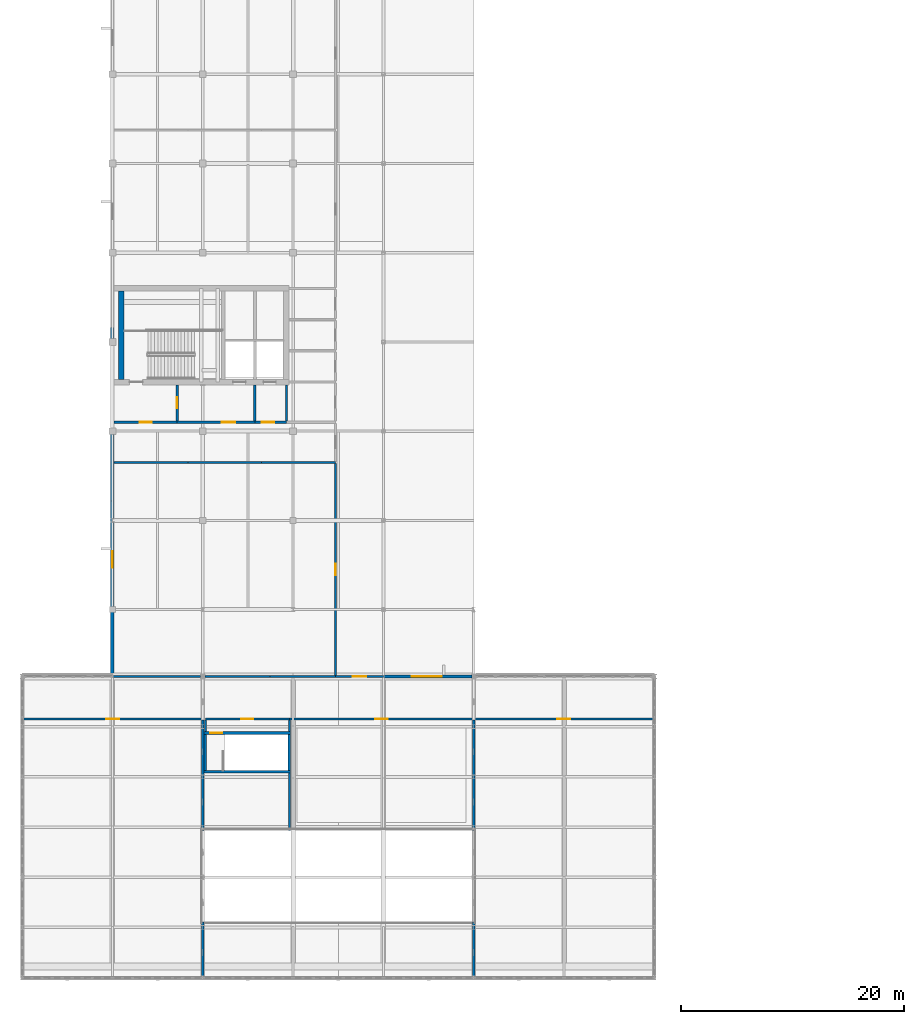
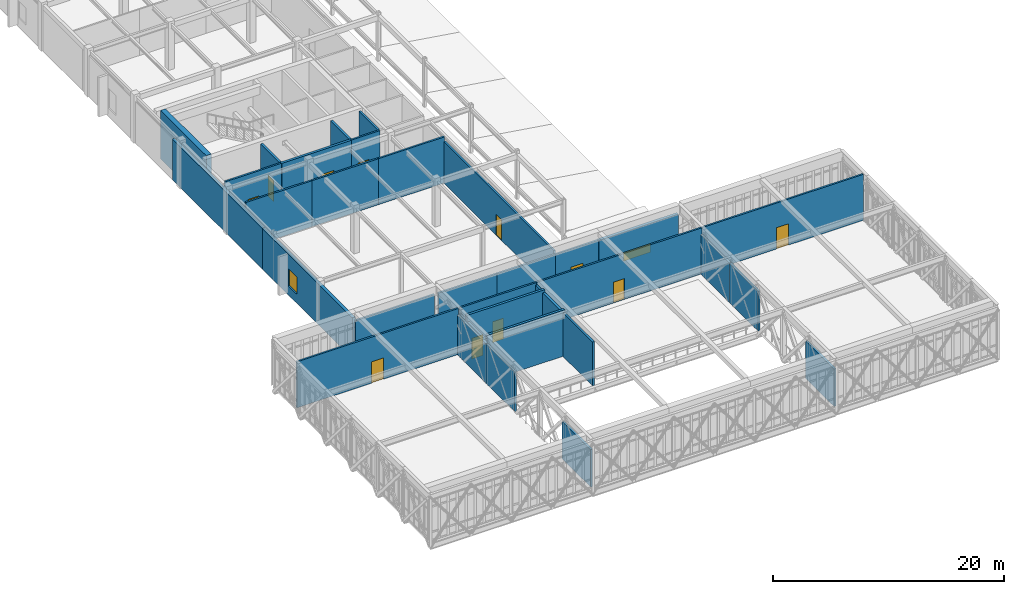
# One storey, part 59 of 70: 35 walls, 11 doors, 2 windows, 13 openings.
"""IFC4 building model written with IfcOpenShell, lengths in metres."""

from ifc_helpers import new_model, si_unit, direction, frame, frame_2d, origin, place, context, subcontext, project, spatial, rectangle, extrude, material, layer, layer_set, type_object, element, fill, save


model = new_model("IFC4")

# Units and contexts
model_context = context("Model", 3, precision=1e-05, world=origin(), true_north=direction((0.0, 1.0)))
body_context = subcontext(model_context, "Body", "Model", "MODEL_VIEW")
ifc_project = project(units=[si_unit("LENGTHUNIT", "METRE"), si_unit("AREAUNIT", "SQUARE_METRE"), si_unit("VOLUMEUNIT", "CUBIC_METRE"), si_unit("PLANEANGLEUNIT", "RADIAN"), si_unit("MASSUNIT", "GRAM", prefix="KILO")], contexts=[model_context])

# Site, building, storey
site_placement = place(None, origin())
site = spatial("IfcSite", under=ifc_project, at=site_placement, CompositionType="ELEMENT")
building_placement = place(site_placement, origin())
building = spatial("IfcBuilding", under=site, at=building_placement, Name="Tarnveldt Square Police Headquarters", CompositionType="ELEMENT")
storey_placement = place(building_placement, frame((0.0, 0.0, 19.800048828125)))
storey = spatial("IfcBuildingStorey", under=building, at=storey_placement, Name="L04", CompositionType="ELEMENT", Elevation=19.800048828125)

# Walls
ifc_material_1 = material(Name="Fire-rated Type X gypsum board on steel studs", Category="steel")
ifc_layer_1 = layer(ifc_material_1, 0.199951171875)
ifc_layer_set_1 = layer_set([ifc_layer_1], Name="Fire-rated Type X gypsum board on steel studs")
wall_type_1 = type_object("IfcWallType", Name="WL-ACOUST-200", PredefinedType="PARTITIONING", material=ifc_layer_set_1)
wall_1_placement = place(storey_placement, frame((24.300048828125, 7.06494140625, 0.0), z_axis=(0.0, 0.0, 1.0), x_axis=(0.0, 1.0, 0.0)))
element("IfcWall", 1, at=wall_1_placement, inside=storey, type_object=wall_type_1, Name="L04 Interior Partition Wall 0564", PredefinedType="PARTITIONING", context=body_context, shape_type="SweptSolid", body=[
    extrude(rectangle(XDim=4.925048828125, YDim=0.199951171875, at=frame_2d((2.46240234375, 0.0))), origin(), (0.0, 0.0, 1.0), 3.951904296875),
])
for number, where, z_axis, x_axis, name in (
    (2, (24.300048828125, 20.2099609375, 0.0), (0.0, 0.0, 1.0), (0.0, 1.0, 0.0), "L04 Interior Partition Wall 0565"),
    (3, (24.300048828125, 25.156005859375, 0.0), (0.0, 0.0, 1.0), (0.0, 1.0, 0.0), "L04 Interior Partition Wall 0566"),
):
    element("IfcWall", number, at=place(storey_placement, frame(where, z_axis=z_axis, x_axis=x_axis)), inside=storey, type_object=wall_type_1, Name=name, PredefinedType="PARTITIONING", context=body_context, shape_type="SweptSolid", body=[
        extrude(rectangle(XDim=4.946044921875, YDim=0.199951171875, at=frame_2d((2.47314453125, 0.0))), origin(), (0.0, 0.0, 1.0), 4.1728515625),
    ])
wall_2_placement = place(storey_placement, frame((32.070068359375, 20.2099609375, 0.0), z_axis=(0.0, 0.0, 1.0), x_axis=(0.0, 1.0, 0.0)))
element("IfcWall", 4, at=wall_2_placement, inside=storey, type_object=wall_type_1, Name="L04 Interior Partition Wall 0572", PredefinedType="PARTITIONING", context=body_context, shape_type="SweptSolid", body=[
    extrude(rectangle(XDim=5.1220703125, YDim=0.199951171875, at=frame_2d((2.56103515625, 0.0))), origin(), (0.0, 0.0, 1.0), 4.616943359375),
])
wall_3_placement = place(storey_placement, frame((48.60009765625, 7.06494140625, 0.0), z_axis=(0.0, 0.0, 1.0), x_axis=(0.0, 1.0, 0.0)))
element("IfcWall", 5, at=wall_3_placement, inside=storey, type_object=wall_type_1, Name="L04 Interior Partition Wall 0588", PredefinedType="PARTITIONING", context=body_context, shape_type="SweptSolid", body=[
    extrude(rectangle(XDim=4.925048828125, YDim=0.199951171875, at=frame_2d((2.46240234375, 0.0))), origin(), (0.0, 0.0, 1.0), 3.951904296875),
])
for number, where, z_axis, x_axis, name in (
    (6, (48.60009765625, 20.2099609375, 0.0), (0.0, 0.0, 1.0), (0.0, 1.0, 0.0), "L04 Interior Partition Wall 0589"),
    (7, (48.60009765625, 25.156005859375, 0.0), (0.0, 0.0, 1.0), (0.0, 1.0, 0.0), "L04 Interior Partition Wall 0590"),
):
    element("IfcWall", number, at=place(storey_placement, frame(where, z_axis=z_axis, x_axis=x_axis)), inside=storey, type_object=wall_type_1, Name=name, PredefinedType="PARTITIONING", context=body_context, shape_type="SweptSolid", body=[
        extrude(rectangle(XDim=4.946044921875, YDim=0.199951171875, at=frame_2d((2.47314453125, 0.0))), origin(), (0.0, 0.0, 1.0), 4.1728515625),
    ])
ifc_material_2 = material(Name="Concrete 50 MPa", Category="concrete")
ifc_layer_2 = layer(ifc_material_2, 0.5)
ifc_layer_set_2 = layer_set([ifc_layer_2], Name="Concrete 50 MPa")
wall_type_2 = type_object("IfcWallType", Name="WL-CORE-500", PredefinedType="SHEAR", material=ifc_layer_set_2)
wall_4_placement = place(storey_placement, frame((17.0, 60.64990234375, 0.0), z_axis=(0.0, 0.0, 1.0), x_axis=(0.0, 1.0, 0.0)))
element("IfcWall", 8, at=wall_4_placement, inside=storey, type_object=wall_type_2, Name="Core K1 South-West Command and Firefighting Core L04 West Shear Wall", PredefinedType="SHEAR", context=body_context, shape_type="SweptSolid", body=[
    extrude(rectangle(XDim=7.900146484375, YDim=0.5, at=frame_2d((3.9501953125, 0.0))), origin(), (0.0, 0.0, 1.0), 5.099853515625),
])

# Wall, opening, window
ifc_material_3 = material(Name="Manganese ironspot clay brick masonry 20 MPa", Category="masonry")
ifc_layer_3 = layer(ifc_material_3, 0.300048828125)
ifc_layer_set_3 = layer_set([ifc_layer_3], Name="Manganese ironspot clay brick masonry 20 MPa")
wall_type_3 = type_object("IfcWallType", Name="WL-EXT-BRK300", PredefinedType="SOLIDWALL", material=ifc_layer_set_3)
wall_5_placement = place(storey_placement, frame((48.419921875, 34.0, 0.0), z_axis=(0.0, 0.0, 1.0), x_axis=(-1.0, 0.0, 0.0)))
wall_5 = element("IfcWall", 9, at=wall_5_placement, inside=storey, type_object=wall_type_3, Name="L04 Brutalist Exterior Wall 0186", PredefinedType="SOLIDWALL", context=body_context, shape_type="SweptSolid", body=[
    extrude(rectangle(XDim=7.919921875, YDim=0.300048828125, at=frame_2d((3.9599609375, 0.0))), origin(), (0.0, 0.0, 1.0), 4.092041015625),
])
opening_1_placement = place(wall_5_placement, frame((2.699951171875, 0.0, 0.949951171875)))
opening_1 = element("IfcOpeningElement", 10, at=opening_1_placement, cuts=wall_5, Name="Opening W22", PredefinedType="OPENING", context=body_context, shape_type="SweptSolid", body=[
    extrude(rectangle(XDim=2.699951171875, YDim=0.89990234375, at=frame_2d((1.35009765625, 0.449951171875))), frame((0.0, 0.159912109375, 0.0), z_axis=(0.0, -1.0, 0.0), x_axis=(1.0, 0.0, 0.0)), (0.0, 0.0, 1.0), 0.320068359375),
])
ifc_material_4 = material(Name="Triple-glazed low-e laminated vision glass", Category="glass")
window_type_1 = type_object("IfcWindowType", Name="WIN-CLR-270x090", PartitioningType="TRIPLE_PANEL_VERTICAL", PredefinedType="WINDOW", material=ifc_material_4)
window_1_placement = place(opening_1_placement, origin())
window_1 = element("IfcWindow", 11, at=window_1_placement, inside=storey, type_object=window_type_1, Name="L04 Deep-Reveal Brutalist Window 0094", OverallHeight=0.89990234375, OverallWidth=2.699951171875, PartitioningType="TRIPLE_PANEL_VERTICAL", PredefinedType="WINDOW", context=body_context, shape_type="SweptSolid", body=[
    extrude(rectangle(XDim=2.699951171875, YDim=0.89990234375, at=frame_2d((1.35009765625, 0.449951171875))), frame((0.0, 0.030029296875, 0.0), z_axis=(0.0, -1.0, 0.0), x_axis=(1.0, 0.0, 0.0)), (0.0, 0.0, 1.0), 0.06005859375),
])
fill(opening_1, window_1)

# Wall
wall_6_placement = place(storey_placement, frame((16.199951171875, 65.30810546875, 0.0), z_axis=(0.0, 0.0, 1.0), x_axis=(0.0, -1.0, 0.0)))
element("IfcWall", 12, at=wall_6_placement, inside=storey, type_object=wall_type_3, Name="L04 Brutalist Exterior Wall 0201", PredefinedType="SOLIDWALL", context=body_context, shape_type="SweptSolid", body=[
    extrude(rectangle(XDim=15.564208984375, YDim=0.300048828125, at=frame_2d((7.7822265625, 0.0))), origin(), (0.0, 0.0, 1.0), 4.2890625),
])

# Wall, opening, window
wall_7_placement = place(storey_placement, frame((16.199951171875, 49.743896484375, 0.0), z_axis=(0.0, 0.0, 1.0), x_axis=(0.0, -1.0, 0.0)))
wall_7 = element("IfcWall", 13, at=wall_7_placement, inside=storey, type_object=wall_type_3, Name="L04 Brutalist Exterior Wall 0202", PredefinedType="SOLIDWALL", context=body_context, shape_type="SweptSolid", body=[
    extrude(rectangle(XDim=15.56396484375, YDim=0.300048828125, at=frame_2d((7.781982421875, 0.0))), origin(), (0.0, 0.0, 1.0), 4.2890625),
])
opening_2_placement = place(wall_7_placement, frame((4.5, 0.0, 0.949951171875)))
opening_2 = element("IfcOpeningElement", 14, at=opening_2_placement, cuts=wall_7, Name="Opening W07", PredefinedType="OPENING", context=body_context, shape_type="SweptSolid", body=[
    extrude(rectangle(XDim=1.5, YDim=1.800048828125, at=frame_2d((0.75, 0.89990234375))), frame((0.0, 0.159912109375, 0.0), z_axis=(0.0, -1.0, 0.0), x_axis=(1.0, 0.0, 0.0)), (0.0, 0.0, 1.0), 0.320068359375),
])
window_type_2 = type_object("IfcWindowType", Name="WIN-DR-150x180", PartitioningType="DOUBLE_PANEL_VERTICAL", PredefinedType="WINDOW", material=ifc_material_4)
window_2_placement = place(opening_2_placement, origin())
window_2 = element("IfcWindow", 15, at=window_2_placement, inside=storey, type_object=window_type_2, Name="L04 Deep-Reveal Brutalist Window 0103", OverallHeight=1.800048828125, OverallWidth=1.5, PartitioningType="DOUBLE_PANEL_VERTICAL", PredefinedType="WINDOW", context=body_context, shape_type="SweptSolid", body=[
    extrude(rectangle(XDim=1.5, YDim=1.800048828125, at=frame_2d((0.75, 0.89990234375))), frame((0.0, 0.030029296875, 0.0), z_axis=(0.0, -1.0, 0.0), x_axis=(1.0, 0.0, 0.0)), (0.0, 0.0, 1.0), 0.06005859375),
])
fill(opening_2, window_2)

# Wall, opening, door
ifc_layer_4 = layer(ifc_material_1, 0.179931640625)
ifc_layer_set_4 = layer_set([ifc_layer_4], Name="Fire-rated Type X gypsum board on steel studs")
wall_type_4 = type_object("IfcWallType", Name="WL-FIRE-180", PredefinedType="PARTITIONING", material=ifc_layer_set_4)
wall_8_placement = place(storey_placement, frame((8.1650390625, 30.199951171875, 0.0), z_axis=(0.0, 0.0, 1.0), x_axis=(1.0, 0.0, 0.0)))
wall_8 = element("IfcWall", 16, at=wall_8_placement, inside=storey, type_object=wall_type_4, Name="L04 Interior Partition Wall 0534", PredefinedType="PARTITIONING", context=body_context, shape_type="SweptSolid", body=[
    extrude(rectangle(XDim=16.135009765625, YDim=0.179931640625, at=frame_2d((8.0673828125, 0.0))), origin(), (0.0, 0.0, 1.0), 4.85986328125),
])
opening_3_placement = place(wall_8_placement, frame((7.467529296875, 0.0, 0.0)))
opening_3 = element("IfcOpeningElement", 17, at=opening_3_placement, cuts=wall_8, Name="Opening D08", PredefinedType="OPENING", context=body_context, shape_type="SweptSolid", body=[
    extrude(rectangle(XDim=1.199951171875, YDim=2.25, at=frame_2d((0.60009765625, 1.125))), frame((0.0, 0.099853515625, 0.0), z_axis=(0.0, -1.0, 0.0), x_axis=(1.0, 0.0, 0.0)), (0.0, 0.0, 1.0), 0.199951171875),
])
ifc_material_5 = material(Name="Solid core architectural birch door leaf", Category="wood")
door_type_1 = type_object("IfcDoorType", Name="DR-INT-1200", OperationType="NOTDEFINED", PredefinedType="DOOR", material=ifc_material_5)
door_1_placement = place(opening_3_placement, frame((1.199951171875, 0.0, 0.0), z_axis=(0.0, 0.0, 1.0), x_axis=(-1.0, 0.0, 0.0)))
door_1 = element("IfcDoor", 18, at=door_1_placement, inside=storey, type_object=door_type_1, Name="Gold Incident Command Control Room Door", OperationType="SINGLE_SWING_LEFT", OverallHeight=2.25, OverallWidth=1.199951171875, PredefinedType="DOOR", context=body_context, shape_type="SweptSolid", body=[
    extrude(rectangle(XDim=1.199951171875, YDim=2.25, at=frame_2d((0.60009765625, 1.125))), frame((0.0, 0.02490234375, 0.0), z_axis=(0.0, -1.0, 0.0), x_axis=(1.0, 0.0, 0.0)), (0.0, 0.0, 1.0), 0.050048828125),
])
fill(opening_3, door_1)

# Walls
wall_9_placement = place(storey_placement, frame((16.2099609375, 34.0, 0.0), z_axis=(0.0, 0.0, 1.0), x_axis=(1.0, 0.0, 0.0)))
element("IfcWall", 19, at=wall_9_placement, inside=storey, type_object=wall_type_4, Name="L04 Interior Partition Wall 0535", PredefinedType="PARTITIONING", context=body_context, shape_type="SweptSolid", body=[
    extrude(rectangle(XDim=7.89501953125, YDim=0.179931640625, at=frame_2d((3.947509765625, 0.0))), origin(), (0.0, 0.0, 1.0), 4.092041015625),
])
wall_10_placement = place(storey_placement, frame((24.4951171875, 34.0, 0.0), z_axis=(0.0, 0.0, 1.0), x_axis=(1.0, 0.0, 0.0)))
element("IfcWall", 20, at=wall_10_placement, inside=storey, type_object=wall_type_4, Name="L04 Interior Partition Wall 0536", PredefinedType="PARTITIONING", context=body_context, shape_type="SweptSolid", body=[
    extrude(rectangle(XDim=5.852294921875, YDim=0.179931640625, at=frame_2d((2.92626953125, 0.0))), origin(), (0.0, 0.0, 1.0), 4.092041015625),
])
wall_11_placement = place(storey_placement, frame((30.347412109375, 34.0, 0.0), z_axis=(0.0, 0.0, 1.0), x_axis=(1.0, 0.0, 0.0)))
element("IfcWall", 21, at=wall_11_placement, inside=storey, type_object=wall_type_4, Name="L04 Interior Partition Wall 0537", PredefinedType="PARTITIONING", context=body_context, shape_type="SweptSolid", body=[
    extrude(rectangle(XDim=5.8525390625, YDim=0.179931640625, at=frame_2d((2.92626953125, 0.0))), origin(), (0.0, 0.0, 1.0), 4.092041015625),
])
for number, where, z_axis, x_axis, name in (
    (22, (16.35791015625, 53.199951171875, 0.0), (0.0, 0.0, 1.0), (1.0, 0.0, 0.0), "L04 Interior Partition Wall 0538"),
    (23, (22.971923828125, 53.199951171875, 0.0), (0.0, 0.0, 1.0), (1.0, 0.0, 0.0), "L04 Interior Partition Wall 0539"),
    (24, (29.5859375, 53.199951171875, 0.0), (0.0, 0.0, 1.0), (1.0, 0.0, 0.0), "L04 Interior Partition Wall 0540"),
):
    element("IfcWall", number, at=place(storey_placement, frame(where, z_axis=z_axis, x_axis=x_axis)), inside=storey, type_object=wall_type_4, Name=name, PredefinedType="PARTITIONING", context=body_context, shape_type="SweptSolid", body=[
        extrude(rectangle(XDim=6.614013671875, YDim=0.179931640625, at=frame_2d((3.30712890625, 0.0))), origin(), (0.0, 0.0, 1.0), 4.85986328125),
    ])

# Wall, opening, door
wall_12_placement = place(storey_placement, frame((16.35791015625, 56.800048828125, 0.0), z_axis=(0.0, 0.0, 1.0), x_axis=(1.0, 0.0, 0.0)))
wall_12 = element("IfcWall", 25, at=wall_12_placement, inside=storey, type_object=wall_type_4, Name="L04 Interior Partition Wall 0541", PredefinedType="PARTITIONING", context=body_context, shape_type="SweptSolid", body=[
    extrude(rectangle(XDim=5.64208984375, YDim=0.179931640625, at=frame_2d((2.821044921875, 0.0))), origin(), (0.0, 0.0, 1.0), 4.85986328125),
])
opening_4_placement = place(wall_12_placement, frame((2.27099609375, 0.0, 0.0)))
opening_4 = element("IfcOpeningElement", 26, at=opening_4_placement, cuts=wall_12, Name="Opening D15", PredefinedType="OPENING", context=body_context, shape_type="SweptSolid", body=[
    extrude(rectangle(XDim=1.10009765625, YDim=2.199951171875, at=frame_2d((0.550048828125, 1.10009765625))), frame((0.0, 0.099853515625, 0.0), z_axis=(0.0, -1.0, 0.0), x_axis=(1.0, 0.0, 0.0)), (0.0, 0.0, 1.0), 0.199951171875),
])
ifc_material_6 = material(Name="Insulated hollow metal steel door leaf", Category="steel")
door_type_2 = type_object("IfcDoorType", Name="DR-FD60-1100", OperationType="NOTDEFINED", PredefinedType="DOOR", material=ifc_material_6)
door_2_placement = place(opening_4_placement, frame((1.10009765625, 0.0, 0.0), z_axis=(0.0, 0.0, 1.0), x_axis=(-1.0, 0.0, 0.0)))
door_2 = element("IfcDoor", 27, at=door_2_placement, inside=storey, type_object=door_type_2, Name="Core Stair Lobby K1-L04 Door", OperationType="SINGLE_SWING_RIGHT", OverallHeight=2.199951171875, OverallWidth=1.10009765625, PredefinedType="DOOR", context=body_context, shape_type="SweptSolid", body=[
    extrude(rectangle(XDim=1.10009765625, YDim=2.199951171875, at=frame_2d((0.550048828125, 1.10009765625))), frame((0.0, 0.02490234375, 0.0), z_axis=(0.0, -1.0, 0.0), x_axis=(1.0, 0.0, 0.0)), (0.0, 0.0, 1.0), 0.050048828125),
])
fill(opening_4, door_2)

wall_13_placement = place(storey_placement, frame((24.530029296875, 30.199951171875, 0.0), z_axis=(0.0, 0.0, 1.0), x_axis=(1.0, 0.0, 0.0)))
wall_13 = element("IfcWall", 28, at=wall_13_placement, inside=storey, type_object=wall_type_4, Name="L04 Interior Partition Wall 0548", PredefinedType="PARTITIONING", context=body_context, shape_type="SweptSolid", body=[
    extrude(rectangle(XDim=7.5400390625, YDim=0.179931640625, at=frame_2d((3.77001953125, 0.0))), origin(), (0.0, 0.0, 1.0), 4.85986328125),
])
opening_5_placement = place(wall_13_placement, frame((3.219970703125, 0.0, 0.0)))
opening_5 = element("IfcOpeningElement", 29, at=opening_5_placement, cuts=wall_13, Name="Opening D15", PredefinedType="OPENING", context=body_context, shape_type="SweptSolid", body=[
    extrude(rectangle(XDim=1.10009765625, YDim=2.199951171875, at=frame_2d((0.550048828125, 1.10009765625))), frame((0.0, 0.099853515625, 0.0), z_axis=(0.0, -1.0, 0.0), x_axis=(1.0, 0.0, 0.0)), (0.0, 0.0, 1.0), 0.199951171875),
])
door_3_placement = place(opening_5_placement, origin())
door_3 = element("IfcDoor", 30, at=door_3_placement, inside=storey, type_object=door_type_2, Name="Exit Stair ST6 Vestibule L04 Door", OperationType="SINGLE_SWING_RIGHT", OverallHeight=2.199951171875, OverallWidth=1.10009765625, PredefinedType="DOOR", context=body_context, shape_type="SweptSolid", body=[
    extrude(rectangle(XDim=1.10009765625, YDim=2.199951171875, at=frame_2d((0.550048828125, 1.10009765625))), frame((0.0, 0.02490234375, 0.0), z_axis=(0.0, -1.0, 0.0), x_axis=(1.0, 0.0, 0.0)), (0.0, 0.0, 1.0), 0.050048828125),
])
fill(opening_5, door_3)

wall_14_placement = place(storey_placement, frame((28.97509765625, 56.800048828125, 0.0), z_axis=(0.0, 0.0, 1.0), x_axis=(1.0, 0.0, 0.0)))
wall_14 = element("IfcWall", 31, at=wall_14_placement, inside=storey, type_object=wall_type_4, Name="L04 Interior Partition Wall 0549", PredefinedType="PARTITIONING", context=body_context, shape_type="SweptSolid", body=[
    extrude(rectangle(XDim=2.824951171875, YDim=0.179931640625, at=frame_2d((1.41259765625, 0.0))), origin(), (0.0, 0.0, 1.0), 4.85986328125),
])
opening_6_placement = place(wall_14_placement, frame((0.636474609375, 0.0, 0.0)))
opening_6 = element("IfcOpeningElement", 32, at=opening_6_placement, cuts=wall_14, Name="Opening D15", PredefinedType="OPENING", context=body_context, shape_type="SweptSolid", body=[
    extrude(rectangle(XDim=1.10009765625, YDim=2.199951171875, at=frame_2d((0.550048828125, 1.10009765625))), frame((0.0, 0.099853515625, 0.0), z_axis=(0.0, -1.0, 0.0), x_axis=(1.0, 0.0, 0.0)), (0.0, 0.0, 1.0), 0.199951171875),
])
door_4_placement = place(opening_6_placement, frame((1.10009765625, 0.0, 0.0), z_axis=(0.0, 0.0, 1.0), x_axis=(-1.0, 0.0, 0.0)))
door_4 = element("IfcDoor", 33, at=door_4_placement, inside=storey, type_object=door_type_2, Name="Passenger Lift Lobby K1-L04 Door", OperationType="SINGLE_SWING_LEFT", OverallHeight=2.199951171875, OverallWidth=1.10009765625, PredefinedType="DOOR", context=body_context, shape_type="SweptSolid", body=[
    extrude(rectangle(XDim=1.10009765625, YDim=2.199951171875, at=frame_2d((0.550048828125, 1.10009765625))), frame((0.0, 0.02490234375, 0.0), z_axis=(0.0, -1.0, 0.0), x_axis=(1.0, 0.0, 0.0)), (0.0, 0.0, 1.0), 0.050048828125),
])
fill(opening_6, door_4)

wall_15_placement = place(storey_placement, frame((32.070068359375, 30.199951171875, 0.0), z_axis=(0.0, 0.0, 1.0), x_axis=(1.0, 0.0, 0.0)))
wall_15 = element("IfcWall", 34, at=wall_15_placement, inside=storey, type_object=wall_type_4, Name="L04 Interior Partition Wall 0557", PredefinedType="PARTITIONING", context=body_context, shape_type="SweptSolid", body=[
    extrude(rectangle(XDim=16.530029296875, YDim=0.179931640625, at=frame_2d((8.26513671875, 0.0))), origin(), (0.0, 0.0, 1.0), 4.85986328125),
])
opening_7_placement = place(wall_15_placement, frame((7.715087890625, 0.0, 0.0)))
opening_7 = element("IfcOpeningElement", 35, at=opening_7_placement, cuts=wall_15, Name="Opening D07", PredefinedType="OPENING", context=body_context, shape_type="SweptSolid", body=[
    extrude(rectangle(XDim=1.10009765625, YDim=2.199951171875, at=frame_2d((0.550048828125, 1.10009765625))), frame((0.0, 0.099853515625, 0.0), z_axis=(0.0, -1.0, 0.0), x_axis=(1.0, 0.0, 0.0)), (0.0, 0.0, 1.0), 0.199951171875),
])
door_type_3 = type_object("IfcDoorType", Name="DR-INT-1100", OperationType="NOTDEFINED", PredefinedType="DOOR", material=ifc_material_5)
door_5_placement = place(opening_7_placement, frame((1.10009765625, 0.0, 0.0), z_axis=(0.0, 0.0, 1.0), x_axis=(-1.0, 0.0, 0.0)))
door_5 = element("IfcDoor", 36, at=door_5_placement, inside=storey, type_object=door_type_3, Name="Dispatch Overlook Situation Briefing Room Door", OperationType="SINGLE_SWING_RIGHT", OverallHeight=2.199951171875, OverallWidth=1.10009765625, PredefinedType="DOOR", context=body_context, shape_type="SweptSolid", body=[
    extrude(rectangle(XDim=1.10009765625, YDim=2.199951171875, at=frame_2d((0.550048828125, 1.10009765625))), frame((0.0, 0.02490234375, 0.0), z_axis=(0.0, -1.0, 0.0), x_axis=(1.0, 0.0, 0.0)), (0.0, 0.0, 1.0), 0.050048828125),
])
fill(opening_7, door_5)

wall_16_placement = place(storey_placement, frame((36.199951171875, 34.0, 0.0), z_axis=(0.0, 0.0, 1.0), x_axis=(1.0, 0.0, 0.0)))
wall_16 = element("IfcWall", 37, at=wall_16_placement, inside=storey, type_object=wall_type_4, Name="L04 Interior Partition Wall 0558", PredefinedType="PARTITIONING", context=body_context, shape_type="SweptSolid", body=[
    extrude(rectangle(XDim=4.2900390625, YDim=0.179931640625, at=frame_2d((2.14501953125, 0.0))), origin(), (0.0, 0.0, 1.0), 4.092041015625),
])
opening_8_placement = place(wall_16_placement, frame((1.544921875, 0.0, 0.0)))
opening_8 = element("IfcOpeningElement", 38, at=opening_8_placement, cuts=wall_16, Name="Opening D16", PredefinedType="OPENING", context=body_context, shape_type="SweptSolid", body=[
    extrude(rectangle(XDim=1.199951171875, YDim=2.199951171875, at=frame_2d((0.60009765625, 1.10009765625))), frame((0.0, 0.099853515625, 0.0), z_axis=(0.0, -1.0, 0.0), x_axis=(1.0, 0.0, 0.0)), (0.0, 0.0, 1.0), 0.199951171875),
])
door_type_4 = type_object("IfcDoorType", Name="DR-FD60-1200", OperationType="NOTDEFINED", PredefinedType="DOOR", material=ifc_material_6)
door_6_placement = place(opening_8_placement, frame((1.199951171875, 0.0, 0.0), z_axis=(0.0, 0.0, 1.0), x_axis=(-1.0, 0.0, 0.0)))
door_6 = element("IfcDoor", 39, at=door_6_placement, inside=storey, type_object=door_type_4, Name="EOC Lantern Spine Corridor L04 Door", OperationType="SINGLE_SWING_LEFT", OverallHeight=2.199951171875, OverallWidth=1.199951171875, PredefinedType="DOOR", context=body_context, shape_type="SweptSolid", body=[
    extrude(rectangle(XDim=1.199951171875, YDim=2.199951171875, at=frame_2d((0.60009765625, 1.10009765625))), frame((0.0, 0.02490234375, 0.0), z_axis=(0.0, -1.0, 0.0), x_axis=(1.0, 0.0, 0.0)), (0.0, 0.0, 1.0), 0.050048828125),
])
fill(opening_8, door_6)

wall_17_placement = place(storey_placement, frame((48.60009765625, 30.199951171875, 0.0), z_axis=(0.0, 0.0, 1.0), x_axis=(1.0, 0.0, 0.0)))
wall_17 = element("IfcWall", 40, at=wall_17_placement, inside=storey, type_object=wall_type_4, Name="L04 Interior Partition Wall 0559", PredefinedType="PARTITIONING", context=body_context, shape_type="SweptSolid", body=[
    extrude(rectangle(XDim=16.135009765625, YDim=0.179931640625, at=frame_2d((8.0673828125, 0.0))), origin(), (0.0, 0.0, 1.0), 4.85986328125),
])
opening_9_placement = place(wall_17_placement, frame((7.467529296875, 0.0, 0.0)))
opening_9 = element("IfcOpeningElement", 41, at=opening_9_placement, cuts=wall_17, Name="Opening D08", PredefinedType="OPENING", context=body_context, shape_type="SweptSolid", body=[
    extrude(rectangle(XDim=1.199951171875, YDim=2.25, at=frame_2d((0.60009765625, 1.125))), frame((0.0, 0.099853515625, 0.0), z_axis=(0.0, -1.0, 0.0), x_axis=(1.0, 0.0, 0.0)), (0.0, 0.0, 1.0), 0.199951171875),
])
door_7_placement = place(opening_9_placement, frame((1.199951171875, 0.0, 0.0), z_axis=(0.0, 0.0, 1.0), x_axis=(-1.0, 0.0, 0.0)))
door_7 = element("IfcDoor", 42, at=door_7_placement, inside=storey, type_object=door_type_1, Name="Real-Time Crime Intelligence Fusion Center Door", OperationType="SINGLE_SWING_RIGHT", OverallHeight=2.25, OverallWidth=1.199951171875, PredefinedType="DOOR", context=body_context, shape_type="SweptSolid", body=[
    extrude(rectangle(XDim=1.199951171875, YDim=2.25, at=frame_2d((0.60009765625, 1.125))), frame((0.0, 0.02490234375, 0.0), z_axis=(0.0, -1.0, 0.0), x_axis=(1.0, 0.0, 0.0)), (0.0, 0.0, 1.0), 0.050048828125),
])
fill(opening_9, door_7)

# Walls
wall_18_placement = place(storey_placement, frame((24.530029296875, 29.068115234375, 0.0), z_axis=(0.0, 0.0, 1.0), x_axis=(0.0, 1.0, 0.0)))
element("IfcWall", 43, at=wall_18_placement, inside=storey, type_object=wall_type_4, Name="L04 Interior Partition Wall 0567", PredefinedType="PARTITIONING", context=body_context, shape_type="SweptSolid", body=[
    extrude(rectangle(XDim=1.033935546875, YDim=0.179931640625, at=frame_2d((0.51708984375, 0.0))), origin(), (0.0, 0.0, 1.0), 4.1728515625),
])
wall_19_placement = place(storey_placement, frame((31.800048828125, 56.89794921875, 0.0), z_axis=(0.0, 0.0, 1.0), x_axis=(0.0, 1.0, 0.0)))
element("IfcWall", 44, at=wall_19_placement, inside=storey, type_object=wall_type_4, Name="L04 Interior Partition Wall 0571", PredefinedType="PARTITIONING", context=body_context, shape_type="SweptSolid", body=[
    extrude(rectangle(XDim=3.244140625, YDim=0.179931640625, at=frame_2d((1.6220703125, 0.0))), origin(), (0.0, 0.0, 1.0), 4.85986328125),
])
wall_20_placement = place(storey_placement, frame((32.070068359375, 29.068115234375, 0.0), z_axis=(0.0, 0.0, 1.0), x_axis=(0.0, 1.0, 0.0)))
element("IfcWall", 45, at=wall_20_placement, inside=storey, type_object=wall_type_4, Name="L04 Interior Partition Wall 0573", PredefinedType="PARTITIONING", context=body_context, shape_type="SweptSolid", body=[
    extrude(rectangle(XDim=1.033935546875, YDim=0.179931640625, at=frame_2d((0.51708984375, 0.0))), origin(), (0.0, 0.0, 1.0), 4.616943359375),
])

# Wall, opening, door
wall_21_placement = place(storey_placement, frame((36.199951171875, 34.097900390625, 0.0), z_axis=(0.0, 0.0, 1.0), x_axis=(0.0, 1.0, 0.0)))
wall_21 = element("IfcWall", 46, at=wall_21_placement, inside=storey, type_object=wall_type_4, Name="L04 Interior Partition Wall 0574", PredefinedType="PARTITIONING", context=body_context, shape_type="SweptSolid", body=[
    extrude(rectangle(XDim=19.004150390625, YDim=0.179931640625, at=frame_2d((9.501953125, 0.0))), origin(), (0.0, 0.0, 1.0), 4.405029296875),
])
opening_10_placement = place(wall_21_placement, frame((9.001953125, 0.0, 0.0)))
opening_10 = element("IfcOpeningElement", 47, at=opening_10_placement, cuts=wall_21, Name="Opening D05", PredefinedType="OPENING", context=body_context, shape_type="SweptSolid", body=[
    extrude(rectangle(XDim=1.0, YDim=2.199951171875, at=frame_2d((0.5, 1.10009765625))), frame((0.0, 0.099853515625, 0.0), z_axis=(0.0, -1.0, 0.0), x_axis=(1.0, 0.0, 0.0)), (0.0, 0.0, 1.0), 0.199951171875),
])
door_type_5 = type_object("IfcDoorType", Name="DR-INT-1000", OperationType="NOTDEFINED", PredefinedType="DOOR", material=ifc_material_5)
door_8_placement = place(opening_10_placement, origin())
door_8 = element("IfcDoor", 48, at=door_8_placement, inside=storey, type_object=door_type_5, Name="Open-Source Threat Intelligence Unit Door", OperationType="SINGLE_SWING_RIGHT", OverallHeight=2.199951171875, OverallWidth=1.0, PredefinedType="DOOR", context=body_context, shape_type="SweptSolid", body=[
    extrude(rectangle(XDim=1.0, YDim=2.199951171875, at=frame_2d((0.5, 1.10009765625))), frame((0.0, 0.02490234375, 0.0), z_axis=(0.0, -1.0, 0.0), x_axis=(1.0, 0.0, 0.0)), (0.0, 0.0, 1.0), 0.050048828125),
])
fill(opening_10, door_8)

# Wall
ifc_material_7 = material(Name="Concrete block masonry 15 MPa", Category="masonry")
ifc_layer_5 = layer(ifc_material_7, 0.239990234375)
ifc_layer_set_5 = layer_set([ifc_layer_5], Name="Concrete block masonry 15 MPa")
wall_type_5 = type_object("IfcWallType", Name="WL-FIRE-240", PredefinedType="PARTITIONING", material=ifc_layer_set_5)
wall_22_placement = place(storey_placement, frame((24.409912109375, 25.4599609375, 0.0), z_axis=(0.0, 0.0, 1.0), x_axis=(1.0, 0.0, 0.0)))
element("IfcWall", 49, at=wall_22_placement, inside=storey, type_object=wall_type_5, Name="Exit Stair ST6 L04 S Enclosure Wall", PredefinedType="PARTITIONING", context=body_context, shape_type="SweptSolid", body=[
    extrude(rectangle(XDim=7.780029296875, YDim=0.239990234375, at=frame_2d((3.89013671875, 0.0))), origin(), (0.0, 0.0, 1.0), 4.85986328125),
])

# Wall, opening, door
wall_23_placement = place(storey_placement, frame((24.409912109375, 28.93994140625, 0.0), z_axis=(0.0, 0.0, 1.0), x_axis=(1.0, 0.0, 0.0)))
wall_23 = element("IfcWall", 50, at=wall_23_placement, inside=storey, type_object=wall_type_5, Name="Exit Stair ST6 L04 N Enclosure Wall", PredefinedType="PARTITIONING", context=body_context, shape_type="SweptSolid", body=[
    extrude(rectangle(XDim=7.780029296875, YDim=0.239990234375, at=frame_2d((3.89013671875, 0.0))), origin(), (0.0, 0.0, 1.0), 4.85986328125),
])
opening_11_placement = place(wall_23_placement, frame((0.5400390625, 0.0, 0.0)))
opening_11 = element("IfcOpeningElement", 51, at=opening_11_placement, cuts=wall_23, Name="Opening D-ST6-L04", PredefinedType="OPENING", context=body_context, shape_type="SweptSolid", body=[
    extrude(rectangle(XDim=1.10009765625, YDim=2.199951171875, at=frame_2d((0.550048828125, 1.10009765625))), frame((0.0, 0.1298828125, 0.0), z_axis=(0.0, -1.0, 0.0), x_axis=(1.0, 0.0, 0.0)), (0.0, 0.0, 1.0), 0.260009765625),
])
door_type_6 = type_object("IfcDoorType", Name="DR-FD90-1100", OperationType="NOTDEFINED", PredefinedType="DOOR", material=ifc_material_6)
door_9_placement = place(opening_11_placement, frame((1.10009765625, 0.0, 0.0), z_axis=(0.0, 0.0, 1.0), x_axis=(-1.0, 0.0, 0.0)))
door_9 = element("IfcDoor", 52, at=door_9_placement, inside=storey, type_object=door_type_6, Name="Exit Stair ST6 L04 Fire Door", OperationType="SINGLE_SWING_RIGHT", OverallHeight=2.199951171875, OverallWidth=1.10009765625, PredefinedType="DOOR", context=body_context, shape_type="SweptSolid", body=[
    extrude(rectangle(XDim=1.10009765625, YDim=2.199951171875, at=frame_2d((0.550048828125, 1.10009765625))), frame((0.0, 0.02490234375, 0.0), z_axis=(0.0, -1.0, 0.0), x_axis=(1.0, 0.0, 0.0)), (0.0, 0.0, 1.0), 0.050048828125),
])
fill(opening_11, door_9)

# Walls
wall_24_placement = place(storey_placement, frame((24.530029296875, 25.590087890625, 0.0), z_axis=(0.0, 0.0, 1.0), x_axis=(0.0, 1.0, 0.0)))
element("IfcWall", 53, at=wall_24_placement, inside=storey, type_object=wall_type_5, Name="Exit Stair ST6 L04 W Enclosure Wall", PredefinedType="PARTITIONING", context=body_context, shape_type="SweptSolid", body=[
    extrude(rectangle(XDim=3.219970703125, YDim=0.239990234375, at=frame_2d((1.60986328125, 0.0))), origin(), (0.0, 0.0, 1.0), 4.1728515625),
])
wall_25_placement = place(storey_placement, frame((32.070068359375, 25.590087890625, 0.0), z_axis=(0.0, 0.0, 1.0), x_axis=(0.0, 1.0, 0.0)))
element("IfcWall", 54, at=wall_25_placement, inside=storey, type_object=wall_type_5, Name="Exit Stair ST6 L04 E Enclosure Wall", PredefinedType="PARTITIONING", context=body_context, shape_type="SweptSolid", body=[
    extrude(rectangle(XDim=3.219970703125, YDim=0.239990234375, at=frame_2d((1.60986328125, 0.0))), origin(), (0.0, 0.0, 1.0), 4.616943359375),
])

# Wall, opening, door
wall_26_placement = place(storey_placement, frame((22.0, 56.800048828125, 0.0), z_axis=(0.0, 0.0, 1.0), x_axis=(1.0, 0.0, 0.0)))
wall_26 = element("IfcWall", 55, at=wall_26_placement, inside=storey, type_object=wall_type_5, Name="L04 Interior Partition Wall 0547", PredefinedType="PARTITIONING", context=body_context, shape_type="SweptSolid", body=[
    extrude(rectangle(XDim=6.97509765625, YDim=0.239990234375, at=frame_2d((3.487548828125, 0.0))), origin(), (0.0, 0.0, 1.0), 4.85986328125),
])
opening_12_placement = place(wall_26_placement, frame((4.00341796875, 0.0, 0.0)))
opening_12 = element("IfcOpeningElement", 56, at=opening_12_placement, cuts=wall_26, Name="Opening D20", PredefinedType="OPENING", context=body_context, shape_type="SweptSolid", body=[
    extrude(rectangle(XDim=1.199951171875, YDim=2.300048828125, at=frame_2d((0.60009765625, 1.14990234375))), frame((0.0, 0.1298828125, 0.0), z_axis=(0.0, -1.0, 0.0), x_axis=(1.0, 0.0, 0.0)), (0.0, 0.0, 1.0), 0.260009765625),
])
door_type_7 = type_object("IfcDoorType", Name="DR-FD90-1200", OperationType="NOTDEFINED", PredefinedType="DOOR", material=ifc_material_6)
door_10_placement = place(opening_12_placement, frame((1.199951171875, 0.0, 0.0), z_axis=(0.0, 0.0, 1.0), x_axis=(-1.0, 0.0, 0.0)))
door_10 = element("IfcDoor", 57, at=door_10_placement, inside=storey, type_object=door_type_7, Name="Firefighting Lift Lobby K1-L04 Door", OperationType="SINGLE_SWING_LEFT", OverallHeight=2.300048828125, OverallWidth=1.199951171875, PredefinedType="DOOR", context=body_context, shape_type="SweptSolid", body=[
    extrude(rectangle(XDim=1.199951171875, YDim=2.300048828125, at=frame_2d((0.60009765625, 1.14990234375))), frame((0.0, 0.02490234375, 0.0), z_axis=(0.0, -1.0, 0.0), x_axis=(1.0, 0.0, 0.0)), (0.0, 0.0, 1.0), 0.050048828125),
])
fill(opening_12, door_10)

wall_27_placement = place(storey_placement, frame((22.0, 56.927978515625, 0.0), z_axis=(0.0, 0.0, 1.0), x_axis=(0.0, 1.0, 0.0)))
wall_27 = element("IfcWall", 58, at=wall_27_placement, inside=storey, type_object=wall_type_5, Name="L04 Interior Partition Wall 0563", PredefinedType="PARTITIONING", context=body_context, shape_type="SweptSolid", body=[
    extrude(rectangle(XDim=3.214111328125, YDim=0.239990234375, at=frame_2d((1.60693359375, 0.0))), origin(), (0.0, 0.0, 1.0), 4.85986328125),
])
opening_13_placement = place(wall_27_placement, frame((1.10693359375, 0.0, 0.0)))
opening_13 = element("IfcOpeningElement", 59, at=opening_13_placement, cuts=wall_27, Name="Opening D17", PredefinedType="OPENING", context=body_context, shape_type="SweptSolid", body=[
    extrude(rectangle(XDim=1.0, YDim=2.199951171875, at=frame_2d((0.5, 1.10009765625))), frame((0.0, 0.1298828125, 0.0), z_axis=(0.0, -1.0, 0.0), x_axis=(1.0, 0.0, 0.0)), (0.0, 0.0, 1.0), 0.260009765625),
])
door_type_8 = type_object("IfcDoorType", Name="DR-FD90-1000", OperationType="NOTDEFINED", PredefinedType="DOOR", material=ifc_material_6)
door_11_placement = place(opening_13_placement, origin())
door_11 = element("IfcDoor", 60, at=door_11_placement, inside=storey, type_object=door_type_8, Name="Firefighting Lift Lobby K1-L04 Secondary Door", OperationType="SINGLE_SWING_RIGHT", OverallHeight=2.199951171875, OverallWidth=1.0, PredefinedType="DOOR", context=body_context, shape_type="SweptSolid", body=[
    extrude(rectangle(XDim=1.0, YDim=2.199951171875, at=frame_2d((0.5, 1.10009765625))), frame((0.0, 0.02490234375, 0.0), z_axis=(0.0, -1.0, 0.0), x_axis=(1.0, 0.0, 0.0)), (0.0, 0.0, 1.0), 0.050048828125),
])
fill(opening_13, door_11)

# Wall
wall_28_placement = place(storey_placement, frame((28.97509765625, 56.927978515625, 0.0), z_axis=(0.0, 0.0, 1.0), x_axis=(0.0, 1.0, 0.0)))
element("IfcWall", 61, at=wall_28_placement, inside=storey, type_object=wall_type_5, Name="L04 Interior Partition Wall 0568", PredefinedType="PARTITIONING", context=body_context, shape_type="SweptSolid", body=[
    extrude(rectangle(XDim=3.214111328125, YDim=0.239990234375, at=frame_2d((1.60693359375, 0.0))), origin(), (0.0, 0.0, 1.0), 4.85986328125),
])

save(model, "model.ifc")
